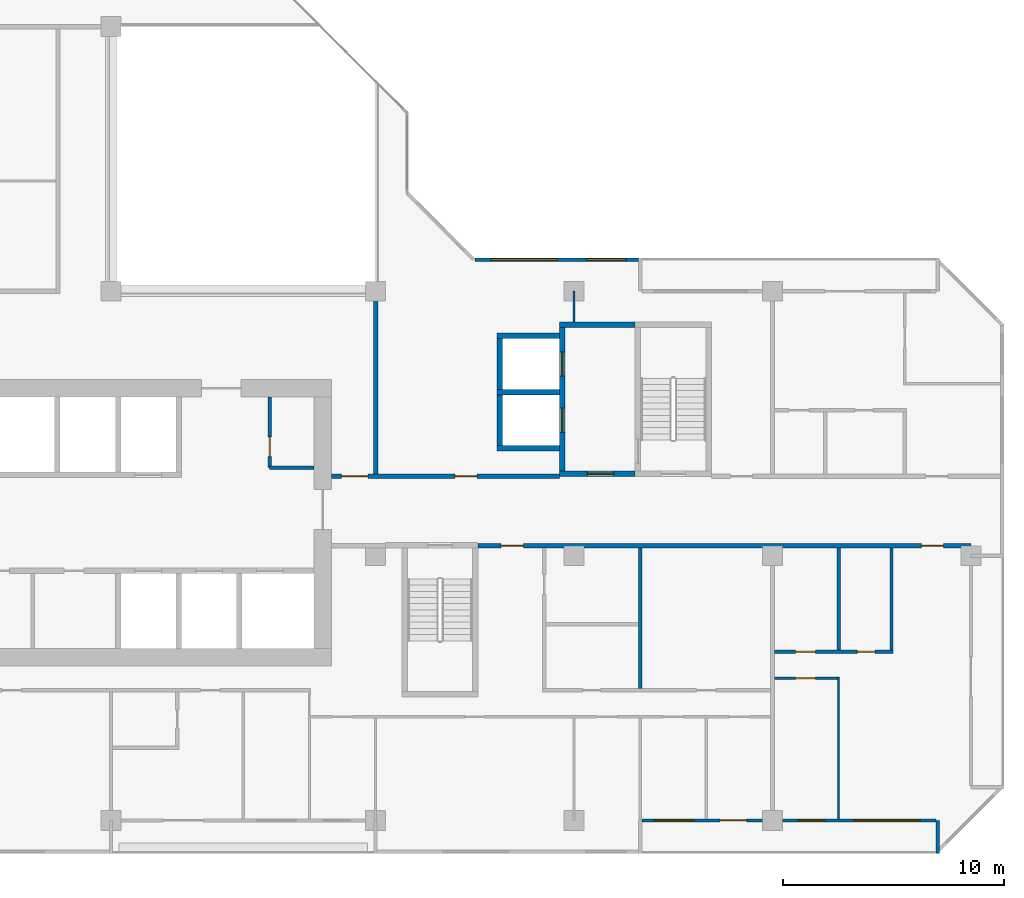
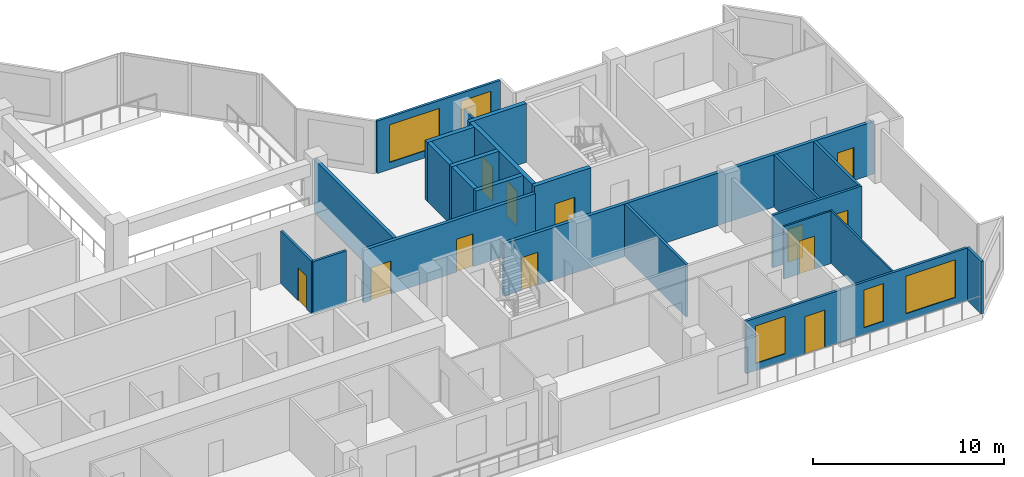
# One storey, part 7 of 14: 23 walls, 12 doors, 5 windows, 17 openings.
"""IFC4 building model written with IfcOpenShell, lengths in metres."""

from ifc_helpers import new_model, si_unit, direction, frame, frame_2d, origin, place, context, subcontext, project, spatial, rectangle, extrude, material, layer, layer_set, type_object, element, fill, save


model = new_model("IFC4")

# Units and contexts
model_context = context("Model", 3, precision=1e-05, world=origin(), true_north=direction((0.0, 1.0)))
body_context = subcontext(model_context, "Body", "Model", "MODEL_VIEW")
ifc_project = project(units=[si_unit("LENGTHUNIT", "METRE"), si_unit("AREAUNIT", "SQUARE_METRE"), si_unit("VOLUMEUNIT", "CUBIC_METRE"), si_unit("PLANEANGLEUNIT", "RADIAN"), si_unit("MASSUNIT", "GRAM", prefix="KILO")], contexts=[model_context])

# Site, building, storey
site_placement = place(None, origin())
site = spatial("IfcSite", under=ifc_project, at=site_placement, CompositionType="ELEMENT")
building_placement = place(site_placement, origin())
building = spatial("IfcBuilding", under=site, at=building_placement, Name="Chenar Terraces", CompositionType="ELEMENT")
storey_placement = place(building_placement, frame((0.0, 0.0, 161.14990234375)))
storey = spatial("IfcBuildingStorey", under=building, at=storey_placement, Name="L36", CompositionType="ELEMENT", Elevation=161.14990234375)

# Wall, opening, door
ifc_material_1 = material(Name="Gypsum board on steel studs", Category="steel")
ifc_layer_1 = layer(ifc_material_1, 0.14990234375)
ifc_layer_set_1 = layer_set([ifc_layer_1], Name="Gypsum board on steel studs")
wall_type_1 = type_object("IfcWallType", Name="Core partition 150 gypsum board", PredefinedType="PARTITIONING", material=ifc_layer_set_1)
wall_1_placement = place(storey_placement, frame((31.199951171875, 16.0, 0.0), z_axis=(0.0, 0.0, 1.0), x_axis=(0.0, 1.0, 0.0)))
wall_1 = element("IfcWall", 1, at=wall_1_placement, inside=storey, type_object=wall_type_1, Name="Core partition CP1 vestibule room west wall", PredefinedType="PARTITIONING", context=body_context, shape_type="SweptSolid", body=[
    extrude(rectangle(XDim=3.199951171875, YDim=0.14990234375, at=frame_2d((1.60009765625, 0.0))), origin(), (0.0, 0.0, 1.0), 3.35009765625),
])
opening_1_placement = place(wall_1_placement, frame((0.5, 0.0, 0.0)))
opening_1 = element("IfcOpeningElement", 2, at=opening_1_placement, cuts=wall_1, Name="Opening DL36-C15", PredefinedType="OPENING", context=body_context, shape_type="SweptSolid", body=[
    extrude(rectangle(XDim=0.89990234375, YDim=2.10009765625, at=frame_2d((0.449951171875, 1.050048828125))), frame((0.0, 0.0849609375, 0.0), z_axis=(0.0, -1.0, 0.0), x_axis=(1.0, 0.0, 0.0)), (0.0, 0.0, 1.0), 0.169921875),
])
ifc_material_2 = material(Name="Steel-framed fire-resisting door leaf", Category="steel")
door_type_1 = type_object("IfcDoorType", Name="Riser fire door FD60 900 x 2100", OperationType="SINGLE_SWING_LEFT", PredefinedType="DOOR", material=ifc_material_2)
door_1_placement = place(opening_1_placement, frame((0.89990234375, 0.0, 0.0), z_axis=(0.0, 0.0, 1.0), x_axis=(-1.0, 0.0, 0.0)))
door_1 = element("IfcDoor", 3, at=door_1_placement, inside=storey, type_object=door_type_1, Name="Core room door DL36-C15", OperationType="SINGLE_SWING_RIGHT", OverallHeight=2.10009765625, OverallWidth=0.89990234375, PredefinedType="DOOR", context=body_context, shape_type="SweptSolid", body=[
    extrude(rectangle(XDim=0.89990234375, YDim=2.10009765625, at=frame_2d((0.449951171875, 1.050048828125))), frame((0.0, 0.02490234375, 0.0), z_axis=(0.0, -1.0, 0.0), x_axis=(1.0, 0.0, 0.0)), (0.0, 0.0, 1.0), 0.050048828125),
])
fill(opening_1, door_1)

# Wall
wall_2_placement = place(storey_placement, frame((31.199951171875, 16.0, 0.0), z_axis=(0.0, 0.0, 1.0), x_axis=(1.0, 0.0, 0.0)))
element("IfcWall", 4, at=wall_2_placement, inside=storey, type_object=wall_type_1, Name="Core partition CP1 vestibule room south wall", PredefinedType="PARTITIONING", context=body_context, shape_type="SweptSolid", body=[
    extrude(rectangle(XDim=2.0, YDim=0.14990234375, at=frame_2d((1.0, 0.0))), origin(), (0.0, 0.0, 1.0), 3.35009765625),
])

# Wall, opening, door
ifc_material_3 = material(Name="Concrete C60/75", Category="concrete")
ifc_layer_2 = layer(ifc_material_3, 0.25)
ifc_layer_set_2 = layer_set([ifc_layer_2], Name="Concrete C60/75")
wall_type_2 = type_object("IfcWallType", Name="Core wall 250 Concrete C60/75", PredefinedType="SHEAR", material=ifc_layer_set_2)
wall_3_placement = place(storey_placement, frame((44.35009765625, 15.72509765625, 0.0), z_axis=(0.0, 0.0, 1.0), x_axis=(1.0, 0.0, 0.0)))
wall_3 = element("IfcWall", 5, at=wall_3_placement, inside=storey, type_object=wall_type_2, Name="Core wall F3_LS L36", PredefinedType="SHEAR", context=body_context, shape_type="SweptSolid", body=[
    extrude(rectangle(XDim=3.4248046875, YDim=0.25, at=frame_2d((1.71240234375, 0.0))), origin(), (0.0, 0.0, 1.0), 3.75),
])
opening_2_placement = place(wall_3_placement, frame((1.25, 0.0, 0.0)))
opening_2 = element("IfcOpeningElement", 6, at=opening_2_placement, cuts=wall_3, Name="Opening DL36-C10", PredefinedType="OPENING", context=body_context, shape_type="SweptSolid", body=[
    extrude(rectangle(XDim=1.199951171875, YDim=2.199951171875, at=frame_2d((0.60009765625, 1.10009765625))), frame((0.0, 0.135009765625, 0.0), z_axis=(0.0, -1.0, 0.0), x_axis=(1.0, 0.0, 0.0)), (0.0, 0.0, 1.0), 0.27001953125),
])
ifc_material_4 = material(Name="Steel-framed fire-resisting door leaf", Category="steel")
door_type_2 = type_object("IfcDoorType", Name="Lobby fire door FD60 1200 x 2200", OperationType="SINGLE_SWING_LEFT", PredefinedType="DOOR", material=ifc_material_4)
door_2_placement = place(opening_2_placement, origin())
door_2 = element("IfcDoor", 7, at=door_2_placement, inside=storey, type_object=door_type_2, Name="Core door DL36-C10", OperationType="SINGLE_SWING_RIGHT", OverallHeight=2.199951171875, OverallWidth=1.199951171875, PredefinedType="DOOR", context=body_context, shape_type="SweptSolid", body=[
    extrude(rectangle(XDim=1.199951171875, YDim=2.199951171875, at=frame_2d((0.60009765625, 1.10009765625))), frame((0.0, 0.02490234375, 0.0), z_axis=(0.0, -1.0, 0.0), x_axis=(1.0, 0.0, 0.0)), (0.0, 0.0, 1.0), 0.050048828125),
])
fill(opening_2, door_2)

# Wall
wall_4_placement = place(storey_placement, frame((44.35009765625, 22.47509765625, 0.0), z_axis=(0.0, 0.0, 1.0), x_axis=(1.0, 0.0, 0.0)))
element("IfcWall", 8, at=wall_4_placement, inside=storey, type_object=wall_type_2, Name="Core wall F3_LN L36", PredefinedType="SHEAR", context=body_context, shape_type="SweptSolid", body=[
    extrude(rectangle(XDim=3.4248046875, YDim=0.25, at=frame_2d((1.71240234375, 0.0))), origin(), (0.0, 0.0, 1.0), 3.75),
])

# Wall, openings, doors
wall_5_placement = place(storey_placement, frame((44.47509765625, 15.85009765625, 0.0), z_axis=(0.0, 0.0, 1.0), x_axis=(0.0, 1.0, 0.0)))
wall_5 = element("IfcWall", 9, at=wall_5_placement, inside=storey, type_object=wall_type_2, Name="Core wall F3_LW L36", PredefinedType="SHEAR", context=body_context, shape_type="SweptSolid", body=[
    extrude(rectangle(XDim=6.5, YDim=0.25, at=frame_2d((3.25, 0.0))), origin(), (0.0, 0.0, 1.0), 3.75),
])
opening_3_placement = place(wall_5_placement, frame((1.75, 0.0, 0.0)))
opening_3 = element("IfcOpeningElement", 10, at=opening_3_placement, cuts=wall_5, Name="Opening DL36-LD8", PredefinedType="OPENING", context=body_context, shape_type="SweptSolid", body=[
    extrude(rectangle(XDim=1.10009765625, YDim=2.199951171875, at=frame_2d((0.550048828125, 1.10009765625))), frame((0.0, 0.135009765625, 0.0), z_axis=(0.0, -1.0, 0.0), x_axis=(1.0, 0.0, 0.0)), (0.0, 0.0, 1.0), 0.27001953125),
])
opening_4_placement = place(wall_5_placement, frame((4.300048828125, 0.0, 0.0)))
opening_4 = element("IfcOpeningElement", 11, at=opening_4_placement, cuts=wall_5, Name="Opening DL36-LD9", PredefinedType="OPENING", context=body_context, shape_type="SweptSolid", body=[
    extrude(rectangle(XDim=1.10009765625, YDim=2.199951171875, at=frame_2d((0.550048828125, 1.10009765625))), frame((0.0, 0.135009765625, 0.0), z_axis=(0.0, -1.0, 0.0), x_axis=(1.0, 0.0, 0.0)), (0.0, 0.0, 1.0), 0.27001953125),
])
ifc_material_5 = material(Name="Stainless steel", Category="steel")
door_type_3 = type_object("IfcDoorType", Name="Lift landing door 1100 x 2200 sliding", OperationType="DOUBLE_DOOR_SLIDING", PredefinedType="DOOR", material=ifc_material_5)
door_3_placement = place(opening_3_placement, origin())
door_3 = element("IfcDoor", 12, at=door_3_placement, inside=storey, type_object=door_type_3, Name="Landing door F3", OperationType="DOUBLE_DOOR_SLIDING", OverallHeight=2.199951171875, OverallWidth=1.10009765625, PredefinedType="DOOR", context=body_context, shape_type="SweptSolid", body=[
    extrude(rectangle(XDim=1.10009765625, YDim=2.199951171875, at=frame_2d((0.550048828125, 1.10009765625))), frame((0.0, 0.02490234375, 0.0), z_axis=(0.0, -1.0, 0.0), x_axis=(1.0, 0.0, 0.0)), (0.0, 0.0, 1.0), 0.050048828125),
])
fill(opening_3, door_3)
door_4_placement = place(opening_4_placement, origin())
door_4 = element("IfcDoor", 13, at=door_4_placement, inside=storey, type_object=door_type_3, Name="Landing door F4", OperationType="DOUBLE_DOOR_SLIDING", OverallHeight=2.199951171875, OverallWidth=1.10009765625, PredefinedType="DOOR", context=body_context, shape_type="SweptSolid", body=[
    extrude(rectangle(XDim=1.10009765625, YDim=2.199951171875, at=frame_2d((0.550048828125, 1.10009765625))), frame((0.0, 0.02490234375, 0.0), z_axis=(0.0, -1.0, 0.0), x_axis=(1.0, 0.0, 0.0)), (0.0, 0.0, 1.0), 0.050048828125),
])
fill(opening_4, door_4)

# Walls
for number, where, z_axis, x_axis, name in (
    (14, (41.5, 16.875, 0.0), (0.0, 0.0, 1.0), (1.0, 0.0, 0.0), "Core wall F3_SS L36"),
    (15, (41.5, 19.425048828125, 0.0), (0.0, 0.0, 1.0), (1.0, 0.0, 0.0), "Core wall F3_SM L36"),
    (16, (41.5, 21.97509765625, 0.0), (0.0, 0.0, 1.0), (1.0, 0.0, 0.0), "Core wall F4_SN L36"),
):
    element("IfcWall", number, at=place(storey_placement, frame(where, z_axis=z_axis, x_axis=x_axis)), inside=storey, type_object=wall_type_2, Name=name, PredefinedType="SHEAR", context=body_context, shape_type="SweptSolid", body=[
        extrude(rectangle(XDim=2.85009765625, YDim=0.25, at=frame_2d((1.425048828125, 0.0))), origin(), (0.0, 0.0, 1.0), 3.75),
    ])
for number, where, z_axis, x_axis, name in (
    (17, (41.625, 17.0, 0.0), (0.0, 0.0, 1.0), (0.0, 1.0, 0.0), "Core wall F3_SW L36"),
    (18, (41.625, 19.550048828125, 0.0), (0.0, 0.0, 1.0), (0.0, 1.0, 0.0), "Core wall F4_SW L36"),
):
    element("IfcWall", number, at=place(storey_placement, frame(where, z_axis=z_axis, x_axis=x_axis)), inside=storey, type_object=wall_type_2, Name=name, PredefinedType="SHEAR", context=body_context, shape_type="SweptSolid", body=[
        extrude(rectangle(XDim=2.300048828125, YDim=0.25, at=frame_2d((1.14990234375, 0.0))), origin(), (0.0, 0.0, 1.0), 3.75),
    ])

# Wall, openings, doors
ifc_material_6 = material(Name="Gypsum board on steel studs with fire boards", Category="steel")
ifc_layer_3 = layer(ifc_material_6, 0.199951171875)
ifc_layer_set_3 = layer_set([ifc_layer_3], Name="Gypsum board on steel studs with fire boards")
wall_type_3 = type_object("IfcWallType", Name="Corridor wall 200", PredefinedType="PARTITIONING", material=ifc_layer_set_3)
wall_6_placement = place(storey_placement, frame((34.0, 15.60009765625, 0.0), z_axis=(0.0, 0.0, 1.0), x_axis=(1.0, 0.0, 0.0)))
wall_6 = element("IfcWall", 19, at=wall_6_placement, inside=storey, type_object=wall_type_3, Name="Partition L36-060", PredefinedType="PARTITIONING", context=body_context, shape_type="SweptSolid", body=[
    extrude(rectangle(XDim=10.35009765625, YDim=0.199951171875, at=frame_2d((5.175048828125, 0.0))), origin(), (0.0, 0.0, 1.0), 3.35009765625),
])
opening_5_placement = place(wall_6_placement, frame((5.60009765625, 0.0, 0.0)))
opening_5 = element("IfcOpeningElement", 20, at=opening_5_placement, cuts=wall_6, Name="Opening DL36-3", PredefinedType="OPENING", context=body_context, shape_type="SweptSolid", body=[
    extrude(rectangle(XDim=1.0, YDim=2.10009765625, at=frame_2d((0.5, 1.050048828125))), frame((0.0, 0.10986328125, 0.0), z_axis=(0.0, -1.0, 0.0), x_axis=(1.0, 0.0, 0.0)), (0.0, 0.0, 1.0), 0.219970703125),
])
opening_6_placement = place(wall_6_placement, frame((0.449951171875, 0.0, 0.0)))
opening_6 = element("IfcOpeningElement", 21, at=opening_6_placement, cuts=wall_6, Name="Opening DL36-35", PredefinedType="OPENING", context=body_context, shape_type="SweptSolid", body=[
    extrude(rectangle(XDim=1.199951171875, YDim=2.10009765625, at=frame_2d((0.60009765625, 1.050048828125))), frame((0.0, 0.10986328125, 0.0), z_axis=(0.0, -1.0, 0.0), x_axis=(1.0, 0.0, 0.0)), (0.0, 0.0, 1.0), 0.219970703125),
])
ifc_material_7 = material(Name="Steel-framed fire-resisting door leaf", Category="steel")
door_type_4 = type_object("IfcDoorType", Name="Fire door FD60 1000 x 2100", OperationType="SINGLE_SWING_LEFT", PredefinedType="DOOR", material=ifc_material_7)
door_5_placement = place(opening_5_placement, origin())
door_5 = element("IfcDoor", 22, at=door_5_placement, inside=storey, type_object=door_type_4, Name="Door DL36-3", OperationType="SINGLE_SWING_RIGHT", OverallHeight=2.10009765625, OverallWidth=1.0, PredefinedType="DOOR", context=body_context, shape_type="SweptSolid", body=[
    extrude(rectangle(XDim=1.0, YDim=2.10009765625, at=frame_2d((0.5, 1.050048828125))), frame((0.0, 0.02490234375, 0.0), z_axis=(0.0, -1.0, 0.0), x_axis=(1.0, 0.0, 0.0)), (0.0, 0.0, 1.0), 0.050048828125),
])
fill(opening_5, door_5)
ifc_material_8 = material(Name="Steel-framed fire-resisting door leaf", Category="steel")
door_type_5 = type_object("IfcDoorType", Name="Fire door FD60 1200 x 2100", OperationType="SINGLE_SWING_LEFT", PredefinedType="DOOR", material=ifc_material_8)
door_6_placement = place(opening_6_placement, origin())
door_6 = element("IfcDoor", 23, at=door_6_placement, inside=storey, type_object=door_type_5, Name="Door DL36-35", OperationType="SINGLE_SWING_RIGHT", OverallHeight=2.10009765625, OverallWidth=1.199951171875, PredefinedType="DOOR", context=body_context, shape_type="SweptSolid", body=[
    extrude(rectangle(XDim=1.199951171875, YDim=2.10009765625, at=frame_2d((0.60009765625, 1.050048828125))), frame((0.0, 0.02490234375, 0.0), z_axis=(0.0, -1.0, 0.0), x_axis=(1.0, 0.0, 0.0)), (0.0, 0.0, 1.0), 0.050048828125),
])
fill(opening_6, door_6)

# Wall
wall_7_placement = place(storey_placement, frame((36.0, 15.699951171875, 0.0), z_axis=(0.0, 0.0, 1.0), x_axis=(0.0, 1.0, 0.0)))
element("IfcWall", 24, at=wall_7_placement, inside=storey, type_object=wall_type_3, Name="Partition L36-062", PredefinedType="PARTITIONING", context=body_context, shape_type="SweptSolid", body=[
    extrude(rectangle(XDim=8.300048828125, YDim=0.199951171875, at=frame_2d((4.14990234375, 0.0))), origin(), (0.0, 0.0, 1.0), 3.35009765625),
])

# Wall, openings, doors
wall_8_placement = place(storey_placement, frame((40.64990234375, 12.449951171875, 0.0), z_axis=(0.0, 0.0, 1.0), x_axis=(1.0, 0.0, 0.0)))
wall_8 = element("IfcWall", 25, at=wall_8_placement, inside=storey, type_object=wall_type_3, Name="Partition L36-063", PredefinedType="PARTITIONING", context=body_context, shape_type="SweptSolid", body=[
    extrude(rectangle(XDim=22.35009765625, YDim=0.199951171875, at=frame_2d((11.175048828125, 0.0))), origin(), (0.0, 0.0, 1.0), 3.35009765625),
])
opening_7_placement = place(wall_8_placement, frame((20.10009765625, 0.0, 0.0)))
opening_7 = element("IfcOpeningElement", 26, at=opening_7_placement, cuts=wall_8, Name="Opening DL36-11", PredefinedType="OPENING", context=body_context, shape_type="SweptSolid", body=[
    extrude(rectangle(XDim=1.0, YDim=2.10009765625, at=frame_2d((0.5, 1.050048828125))), frame((0.0, 0.10986328125, 0.0), z_axis=(0.0, -1.0, 0.0), x_axis=(1.0, 0.0, 0.0)), (0.0, 0.0, 1.0), 0.219970703125),
])
opening_8_placement = place(wall_8_placement, frame((1.050048828125, 0.0, 0.0)))
opening_8 = element("IfcOpeningElement", 27, at=opening_8_placement, cuts=wall_8, Name="Opening DL36-53", PredefinedType="OPENING", context=body_context, shape_type="SweptSolid", body=[
    extrude(rectangle(XDim=1.0, YDim=2.10009765625, at=frame_2d((0.5, 1.050048828125))), frame((0.0, 0.10986328125, 0.0), z_axis=(0.0, -1.0, 0.0), x_axis=(1.0, 0.0, 0.0)), (0.0, 0.0, 1.0), 0.219970703125),
])
ifc_material_9 = material(Name="Steel-framed fire-resisting door leaf", Category="steel")
door_type_6 = type_object("IfcDoorType", Name="Fire door FD30S 1000 x 2100", OperationType="SINGLE_SWING_LEFT", PredefinedType="DOOR", material=ifc_material_9)
door_7_placement = place(opening_7_placement, frame((1.0, 0.0, 0.0), z_axis=(0.0, 0.0, 1.0), x_axis=(-1.0, 0.0, 0.0)))
door_7 = element("IfcDoor", 28, at=door_7_placement, inside=storey, type_object=door_type_6, Name="Door DL36-11", OperationType="SINGLE_SWING_LEFT", OverallHeight=2.10009765625, OverallWidth=1.0, PredefinedType="DOOR", context=body_context, shape_type="SweptSolid", body=[
    extrude(rectangle(XDim=1.0, YDim=2.10009765625, at=frame_2d((0.5, 1.050048828125))), frame((0.0, 0.02490234375, 0.0), z_axis=(0.0, -1.0, 0.0), x_axis=(1.0, 0.0, 0.0)), (0.0, 0.0, 1.0), 0.050048828125),
])
fill(opening_7, door_7)
door_8_placement = place(opening_8_placement, origin())
door_8 = element("IfcDoor", 29, at=door_8_placement, inside=storey, type_object=door_type_6, Name="Door DL36-53", OperationType="SINGLE_SWING_LEFT", OverallHeight=2.10009765625, OverallWidth=1.0, PredefinedType="DOOR", context=body_context, shape_type="SweptSolid", body=[
    extrude(rectangle(XDim=1.0, YDim=2.10009765625, at=frame_2d((0.5, 1.050048828125))), frame((0.0, 0.02490234375, 0.0), z_axis=(0.0, -1.0, 0.0), x_axis=(1.0, 0.0, 0.0)), (0.0, 0.0, 1.0), 0.050048828125),
])
fill(opening_8, door_8)

# Wall, openings, windows
ifc_material_10 = material(Name="Aluminium framed glazing", Category="aluminium")
ifc_layer_4 = layer(ifc_material_10, 0.14990234375)
ifc_layer_set_4 = layer_set([ifc_layer_4], Name="Aluminium framed glazing")
wall_type_4 = type_object("IfcWallType", Name="Glazed flush facade wall 150", PredefinedType="SOLIDWALL", material=ifc_layer_set_4)
wall_9_placement = place(storey_placement, frame((47.925048828125, 25.425048828125, 0.0), z_axis=(0.0, 0.0, 1.0), x_axis=(-1.0, 0.0, 0.0)))
wall_9 = element("IfcWall", 30, at=wall_9_placement, inside=storey, type_object=wall_type_4, Name="Glazed flush facade wall", PredefinedType="SOLIDWALL", context=body_context, shape_type="SweptSolid", body=[
    extrude(rectangle(XDim=7.425048828125, YDim=0.14990234375, at=frame_2d((3.71240234375, 0.0))), origin(), (0.0, 0.0, 1.0), 3.35009765625),
])
opening_9_placement = place(wall_9_placement, frame((0.5625, 0.0, 0.449951171875)))
opening_9 = element("IfcOpeningElement", 31, at=opening_9_placement, cuts=wall_9, Name="Opening W180x240", PredefinedType="OPENING", context=body_context, shape_type="SweptSolid", body=[
    extrude(rectangle(XDim=1.800048828125, YDim=2.39990234375, at=frame_2d((0.89990234375, 1.199951171875))), frame((0.0, 0.0849609375, 0.0), z_axis=(0.0, -1.0, 0.0), x_axis=(1.0, 0.0, 0.0)), (0.0, 0.0, 1.0), 0.169921875),
])
opening_10_placement = place(wall_9_placement, frame((3.675048828125, 0.0, 0.449951171875)))
opening_10 = element("IfcOpeningElement", 32, at=opening_10_placement, cuts=wall_9, Name="Opening W300x240", PredefinedType="OPENING", context=body_context, shape_type="SweptSolid", body=[
    extrude(rectangle(XDim=3.0, YDim=2.39990234375, at=frame_2d((1.5, 1.199951171875))), frame((0.0, 0.0849609375, 0.0), z_axis=(0.0, -1.0, 0.0), x_axis=(1.0, 0.0, 0.0)), (0.0, 0.0, 1.0), 0.169921875),
])
ifc_material_11 = material(Name="Low emissivity double glazing, aluminium frame", Category="aluminium")
window_type_1 = type_object("IfcWindowType", Name="Fixed light 1800 x 2400", PartitioningType="SINGLE_PANEL", PredefinedType="WINDOW", material=ifc_material_11)
window_1_placement = place(opening_9_placement, origin())
window_1 = element("IfcWindow", 33, at=window_1_placement, inside=storey, type_object=window_type_1, Name="Window", OverallHeight=2.39990234375, OverallWidth=1.800048828125, PartitioningType="SINGLE_PANEL", PredefinedType="WINDOW", context=body_context, shape_type="SweptSolid", body=[
    extrude(rectangle(XDim=1.800048828125, YDim=2.39990234375, at=frame_2d((0.89990234375, 1.199951171875))), frame((0.0, 0.030029296875, 0.0), z_axis=(0.0, -1.0, 0.0), x_axis=(1.0, 0.0, 0.0)), (0.0, 0.0, 1.0), 0.06005859375),
])
fill(opening_9, window_1)
ifc_material_12 = material(Name="Low emissivity double glazing, aluminium frame", Category="aluminium")
window_type_2 = type_object("IfcWindowType", Name="Fixed light 3000 x 2400", PartitioningType="SINGLE_PANEL", PredefinedType="WINDOW", material=ifc_material_12)
window_2_placement = place(opening_10_placement, origin())
window_2 = element("IfcWindow", 34, at=window_2_placement, inside=storey, type_object=window_type_2, Name="Window", OverallHeight=2.39990234375, OverallWidth=3.0, PartitioningType="SINGLE_PANEL", PredefinedType="WINDOW", context=body_context, shape_type="SweptSolid", body=[
    extrude(rectangle(XDim=3.0, YDim=2.39990234375, at=frame_2d((1.5, 1.199951171875))), frame((0.0, 0.030029296875, 0.0), z_axis=(0.0, -1.0, 0.0), x_axis=(1.0, 0.0, 0.0)), (0.0, 0.0, 1.0), 0.06005859375),
])
fill(opening_10, window_2)

# Wall, openings, windows, door
ifc_material_13 = material(Name="Aluminium framed glazing", Category="aluminium")
ifc_layer_5 = layer(ifc_material_13, 0.14990234375)
ifc_layer_set_5 = layer_set([ifc_layer_5], Name="Aluminium framed glazing")
wall_type_5 = type_object("IfcWallType", Name="Glazed loggia back wall 150", PredefinedType="SOLIDWALL", material=ifc_layer_set_5)
wall_10_placement = place(storey_placement, frame((48.074951171875, 0.0, 0.0), z_axis=(0.0, 0.0, 1.0), x_axis=(1.0, 0.0, 0.0)))
wall_10 = element("IfcWall", 35, at=wall_10_placement, inside=storey, type_object=wall_type_5, Name="Glazed loggia back wall", PredefinedType="SOLIDWALL", context=body_context, shape_type="SweptSolid", body=[
    extrude(rectangle(XDim=13.35009765625, YDim=0.14990234375, at=frame_2d((6.675048828125, 0.0))), origin(), (0.0, 0.0, 1.0), 3.35009765625),
])
opening_11_placement = place(wall_10_placement, frame((0.5625, 0.0, 0.449951171875)))
opening_11 = element("IfcOpeningElement", 36, at=opening_11_placement, cuts=wall_10, Name="Opening W180x240", PredefinedType="OPENING", context=body_context, shape_type="SweptSolid", body=[
    extrude(rectangle(XDim=1.800048828125, YDim=2.39990234375, at=frame_2d((0.89990234375, 1.199951171875))), frame((0.0, 0.0849609375, 0.0), z_axis=(0.0, -1.0, 0.0), x_axis=(1.0, 0.0, 0.0)), (0.0, 0.0, 1.0), 0.169921875),
])
opening_12_placement = place(wall_10_placement, frame((3.550048828125, 0.0, 0.0)))
opening_12 = element("IfcOpeningElement", 37, at=opening_12_placement, cuts=wall_10, Name="Opening DL36-G7", PredefinedType="OPENING", context=body_context, shape_type="SweptSolid", body=[
    extrude(rectangle(XDim=1.199951171875, YDim=2.39990234375, at=frame_2d((0.60009765625, 1.199951171875))), frame((0.0, 0.0849609375, 0.0), z_axis=(0.0, -1.0, 0.0), x_axis=(1.0, 0.0, 0.0)), (0.0, 0.0, 1.0), 0.169921875),
])
opening_13_placement = place(wall_10_placement, frame((7.10009765625, 0.0, 0.449951171875)))
opening_13 = element("IfcOpeningElement", 38, at=opening_13_placement, cuts=wall_10, Name="Opening W120x240", PredefinedType="OPENING", context=body_context, shape_type="SweptSolid", body=[
    extrude(rectangle(XDim=1.199951171875, YDim=2.39990234375, at=frame_2d((0.60009765625, 1.199951171875))), frame((0.0, 0.0849609375, 0.0), z_axis=(0.0, -1.0, 0.0), x_axis=(1.0, 0.0, 0.0)), (0.0, 0.0, 1.0), 0.169921875),
])
opening_14_placement = place(wall_10_placement, frame((9.637451171875, 0.0, 0.449951171875)))
opening_14 = element("IfcOpeningElement", 39, at=opening_14_placement, cuts=wall_10, Name="Opening W300x240", PredefinedType="OPENING", context=body_context, shape_type="SweptSolid", body=[
    extrude(rectangle(XDim=3.0, YDim=2.39990234375, at=frame_2d((1.5, 1.199951171875))), frame((0.0, 0.0849609375, 0.0), z_axis=(0.0, -1.0, 0.0), x_axis=(1.0, 0.0, 0.0)), (0.0, 0.0, 1.0), 0.169921875),
])
ifc_material_14 = material(Name="Low emissivity double glazing, aluminium frame", Category="aluminium")
window_type_3 = type_object("IfcWindowType", Name="Fixed light 1200 x 2400", PartitioningType="SINGLE_PANEL", PredefinedType="WINDOW", material=ifc_material_14)
window_3_placement = place(opening_13_placement, origin())
window_3 = element("IfcWindow", 40, at=window_3_placement, inside=storey, type_object=window_type_3, Name="Window", OverallHeight=2.39990234375, OverallWidth=1.199951171875, PartitioningType="SINGLE_PANEL", PredefinedType="WINDOW", context=body_context, shape_type="SweptSolid", body=[
    extrude(rectangle(XDim=1.199951171875, YDim=2.39990234375, at=frame_2d((0.60009765625, 1.199951171875))), frame((0.0, 0.030029296875, 0.0), z_axis=(0.0, -1.0, 0.0), x_axis=(1.0, 0.0, 0.0)), (0.0, 0.0, 1.0), 0.06005859375),
])
fill(opening_13, window_3)
window_4_placement = place(opening_11_placement, origin())
window_4 = element("IfcWindow", 41, at=window_4_placement, inside=storey, type_object=window_type_1, Name="Window", OverallHeight=2.39990234375, OverallWidth=1.800048828125, PartitioningType="SINGLE_PANEL", PredefinedType="WINDOW", context=body_context, shape_type="SweptSolid", body=[
    extrude(rectangle(XDim=1.800048828125, YDim=2.39990234375, at=frame_2d((0.89990234375, 1.199951171875))), frame((0.0, 0.030029296875, 0.0), z_axis=(0.0, -1.0, 0.0), x_axis=(1.0, 0.0, 0.0)), (0.0, 0.0, 1.0), 0.06005859375),
])
fill(opening_11, window_4)
window_5_placement = place(opening_14_placement, origin())
window_5 = element("IfcWindow", 42, at=window_5_placement, inside=storey, type_object=window_type_2, Name="Window", OverallHeight=2.39990234375, OverallWidth=3.0, PartitioningType="SINGLE_PANEL", PredefinedType="WINDOW", context=body_context, shape_type="SweptSolid", body=[
    extrude(rectangle(XDim=3.0, YDim=2.39990234375, at=frame_2d((1.5, 1.199951171875))), frame((0.0, 0.030029296875, 0.0), z_axis=(0.0, -1.0, 0.0), x_axis=(1.0, 0.0, 0.0)), (0.0, 0.0, 1.0), 0.06005859375),
])
fill(opening_14, window_5)
ifc_material_15 = material(Name="Low emissivity double glazing, aluminium frame", Category="aluminium")
door_type_7 = type_object("IfcDoorType", Name="Loggia glazed double door 1200 x 2400", OperationType="DOUBLE_DOOR_SINGLE_SWING", PredefinedType="DOOR", material=ifc_material_15)
door_9_placement = place(opening_12_placement, frame((1.199951171875, 0.0, 0.0), z_axis=(0.0, 0.0, 1.0), x_axis=(-1.0, 0.0, 0.0)))
door_9 = element("IfcDoor", 43, at=door_9_placement, inside=storey, type_object=door_type_7, Name="Loggia glazed door", OperationType="DOUBLE_DOOR_SINGLE_SWING", OverallHeight=2.39990234375, OverallWidth=1.199951171875, PredefinedType="DOOR", context=body_context, shape_type="SweptSolid", body=[
    extrude(rectangle(XDim=1.199951171875, YDim=2.39990234375, at=frame_2d((0.60009765625, 1.199951171875))), frame((0.0, 0.02490234375, 0.0), z_axis=(0.0, -1.0, 0.0), x_axis=(1.0, 0.0, 0.0)), (0.0, 0.0, 1.0), 0.050048828125),
])
fill(opening_12, door_9)

# Wall
ifc_material_16 = material(Name="Gypsum board on steel studs", Category="steel")
ifc_layer_6 = layer(ifc_material_16, 0.10009765625)
ifc_layer_set_6 = layer_set([ifc_layer_6], Name="Gypsum board on steel studs")
wall_type_6 = type_object("IfcWallType", Name="Gypsum partition 100", PredefinedType="PARTITIONING", material=ifc_layer_set_6)
wall_11_placement = place(storey_placement, frame((45.0, 22.60009765625, 0.0), z_axis=(0.0, 0.0, 1.0), x_axis=(0.0, 1.0, 0.0)))
element("IfcWall", 44, at=wall_11_placement, inside=storey, type_object=wall_type_6, Name="Partition L36-068", PredefinedType="PARTITIONING", context=body_context, shape_type="SweptSolid", body=[
    extrude(rectangle(XDim=1.39990234375, YDim=0.10009765625, at=frame_2d((0.699951171875, 0.0))), origin(), (0.0, 0.0, 1.0), 3.35009765625),
])

# Wall, opening, door
wall_12_placement = place(storey_placement, frame((54.10009765625, 6.449951171875, 0.0), z_axis=(0.0, 0.0, 1.0), x_axis=(1.0, 0.0, 0.0)))
wall_12 = element("IfcWall", 45, at=wall_12_placement, inside=storey, type_object=wall_type_6, Name="Partition L36-075", PredefinedType="PARTITIONING", context=body_context, shape_type="SweptSolid", body=[
    extrude(rectangle(XDim=2.849853515625, YDim=0.10009765625, at=frame_2d((1.4248046875, 0.0))), origin(), (0.0, 0.0, 1.0), 3.35009765625),
])
opening_15_placement = place(wall_12_placement, frame((0.949951171875, 0.0, 0.0)))
opening_15 = element("IfcOpeningElement", 46, at=opening_15_placement, cuts=wall_12, Name="Opening DL36-9", PredefinedType="OPENING", context=body_context, shape_type="SweptSolid", body=[
    extrude(rectangle(XDim=0.89990234375, YDim=2.10009765625, at=frame_2d((0.449951171875, 1.050048828125))), frame((0.0, 0.06005859375, 0.0), z_axis=(0.0, -1.0, 0.0), x_axis=(1.0, 0.0, 0.0)), (0.0, 0.0, 1.0), 0.1201171875),
])
ifc_material_17 = material(Name="Veneered timber door leaf", Category="wood")
door_type_8 = type_object("IfcDoorType", Name="Door 900 x 2100", OperationType="SINGLE_SWING_LEFT", PredefinedType="DOOR", material=ifc_material_17)
door_10_placement = place(opening_15_placement, frame((0.89990234375, 0.0, 0.0), z_axis=(0.0, 0.0, 1.0), x_axis=(-1.0, 0.0, 0.0)))
door_10 = element("IfcDoor", 47, at=door_10_placement, inside=storey, type_object=door_type_8, Name="Door DL36-9", OperationType="SINGLE_SWING_LEFT", OverallHeight=2.10009765625, OverallWidth=0.89990234375, PredefinedType="DOOR", context=body_context, shape_type="SweptSolid", body=[
    extrude(rectangle(XDim=0.89990234375, YDim=2.10009765625, at=frame_2d((0.449951171875, 1.050048828125))), frame((0.0, 0.02490234375, 0.0), z_axis=(0.0, -1.0, 0.0), x_axis=(1.0, 0.0, 0.0)), (0.0, 0.0, 1.0), 0.050048828125),
])
fill(opening_15, door_10)

# Walls
wall_13_placement = place(storey_placement, frame((57.0, 0.073974609375, 0.0), z_axis=(0.0, 0.0, 1.0), x_axis=(0.0, 1.0, 0.0)))
element("IfcWall", 48, at=wall_13_placement, inside=storey, type_object=wall_type_6, Name="Partition L36-079", PredefinedType="PARTITIONING", context=body_context, shape_type="SweptSolid", body=[
    extrude(rectangle(XDim=6.426025390625, YDim=0.10009765625, at=frame_2d((3.212890625, 0.0))), origin(), (0.0, 0.0, 1.0), 3.35009765625),
])
ifc_material_18 = material(Name="Terracotta cladding on insulated backing", Category="masonry")
ifc_layer_7 = layer(ifc_material_18, 0.14990234375)
ifc_layer_set_7 = layer_set([ifc_layer_7], Name="Terracotta cladding on insulated backing")
wall_type_7 = type_object("IfcWallType", Name="Loggia return wall 150", PredefinedType="SOLIDWALL", material=ifc_layer_set_7)
wall_14_placement = place(storey_placement, frame((61.5, -1.5, 0.0), z_axis=(0.0, 0.0, 1.0), x_axis=(0.0, 1.0, 0.0)))
element("IfcWall", 49, at=wall_14_placement, inside=storey, type_object=wall_type_7, Name="Loggia return wall", PredefinedType="SOLIDWALL", context=body_context, shape_type="SweptSolid", body=[
    extrude(rectangle(XDim=1.5, YDim=0.14990234375, at=frame_2d((0.75, 0.0))), origin(), (0.0, 0.0, 1.0), 3.35009765625),
])
ifc_material_19 = material(Name="Moisture-resistant gypsum board on steel studs", Category="steel")
ifc_layer_8 = layer(ifc_material_19, 0.14990234375)
ifc_layer_set_8 = layer_set([ifc_layer_8], Name="Moisture-resistant gypsum board on steel studs")
wall_type_8 = type_object("IfcWallType", Name="Wet-room partition 150", PredefinedType="PARTITIONING", material=ifc_layer_set_8)
wall_15_placement = place(storey_placement, frame((48.0, 5.97509765625, 0.0), z_axis=(0.0, 0.0, 1.0), x_axis=(0.0, 1.0, 0.0)))
element("IfcWall", 50, at=wall_15_placement, inside=storey, type_object=wall_type_8, Name="Partition L36-070", PredefinedType="PARTITIONING", context=body_context, shape_type="SweptSolid", body=[
    extrude(rectangle(XDim=6.375, YDim=0.14990234375, at=frame_2d((3.1875, 0.0))), origin(), (0.0, 0.0, 1.0), 3.35009765625),
])

# Wall, openings, doors
wall_16_placement = place(storey_placement, frame((54.10009765625, 7.64990234375, 0.0), z_axis=(0.0, 0.0, 1.0), x_axis=(1.0, 0.0, 0.0)))
wall_16 = element("IfcWall", 51, at=wall_16_placement, inside=storey, type_object=wall_type_8, Name="Partition L36-076", PredefinedType="PARTITIONING", context=body_context, shape_type="SweptSolid", body=[
    extrude(rectangle(XDim=5.375, YDim=0.14990234375, at=frame_2d((2.6875, 0.0))), origin(), (0.0, 0.0, 1.0), 3.35009765625),
])
opening_16_placement = place(wall_16_placement, frame((3.75, 0.0, 0.0)))
opening_16 = element("IfcOpeningElement", 52, at=opening_16_placement, cuts=wall_16, Name="Opening DL36-8", PredefinedType="OPENING", context=body_context, shape_type="SweptSolid", body=[
    extrude(rectangle(XDim=0.800048828125, YDim=2.10009765625, at=frame_2d((0.39990234375, 1.050048828125))), frame((0.0, 0.0849609375, 0.0), z_axis=(0.0, -1.0, 0.0), x_axis=(1.0, 0.0, 0.0)), (0.0, 0.0, 1.0), 0.169921875),
])
opening_17_placement = place(wall_16_placement, frame((0.949951171875, 0.0, 0.0)))
opening_17 = element("IfcOpeningElement", 53, at=opening_17_placement, cuts=wall_16, Name="Opening DL36-10", PredefinedType="OPENING", context=body_context, shape_type="SweptSolid", body=[
    extrude(rectangle(XDim=0.89990234375, YDim=2.10009765625, at=frame_2d((0.449951171875, 1.050048828125))), frame((0.0, 0.0849609375, 0.0), z_axis=(0.0, -1.0, 0.0), x_axis=(1.0, 0.0, 0.0)), (0.0, 0.0, 1.0), 0.169921875),
])
ifc_material_20 = material(Name="Veneered timber door leaf", Category="wood")
door_type_9 = type_object("IfcDoorType", Name="Door 800 x 2100", OperationType="SINGLE_SWING_LEFT", PredefinedType="DOOR", material=ifc_material_20)
door_11_placement = place(opening_16_placement, origin())
door_11 = element("IfcDoor", 54, at=door_11_placement, inside=storey, type_object=door_type_9, Name="Door DL36-8", OperationType="SINGLE_SWING_RIGHT", OverallHeight=2.10009765625, OverallWidth=0.800048828125, PredefinedType="DOOR", context=body_context, shape_type="SweptSolid", body=[
    extrude(rectangle(XDim=0.800048828125, YDim=2.10009765625, at=frame_2d((0.39990234375, 1.050048828125))), frame((0.0, 0.02490234375, 0.0), z_axis=(0.0, -1.0, 0.0), x_axis=(1.0, 0.0, 0.0)), (0.0, 0.0, 1.0), 0.050048828125),
])
fill(opening_16, door_11)
door_12_placement = place(opening_17_placement, origin())
door_12 = element("IfcDoor", 55, at=door_12_placement, inside=storey, type_object=door_type_8, Name="Door DL36-10", OperationType="SINGLE_SWING_RIGHT", OverallHeight=2.10009765625, OverallWidth=0.89990234375, PredefinedType="DOOR", context=body_context, shape_type="SweptSolid", body=[
    extrude(rectangle(XDim=0.89990234375, YDim=2.10009765625, at=frame_2d((0.449951171875, 1.050048828125))), frame((0.0, 0.02490234375, 0.0), z_axis=(0.0, -1.0, 0.0), x_axis=(1.0, 0.0, 0.0)), (0.0, 0.0, 1.0), 0.050048828125),
])
fill(opening_17, door_12)

# Walls
for number, where, z_axis, x_axis, name in (
    (56, (57.0, 7.72509765625, 0.0), (0.0, 0.0, 1.0), (0.0, 1.0, 0.0), "Partition L36-080"),
    (57, (59.39990234375, 7.72509765625, 0.0), (0.0, 0.0, 1.0), (0.0, 1.0, 0.0), "Partition L36-081"),
):
    element("IfcWall", number, at=place(storey_placement, frame(where, z_axis=z_axis, x_axis=x_axis)), inside=storey, type_object=wall_type_8, Name=name, PredefinedType="PARTITIONING", context=body_context, shape_type="SweptSolid", body=[
        extrude(rectangle(XDim=4.625, YDim=0.14990234375, at=frame_2d((2.3125, 0.0))), origin(), (0.0, 0.0, 1.0), 3.35009765625),
    ])

save(model, "model.ifc")
